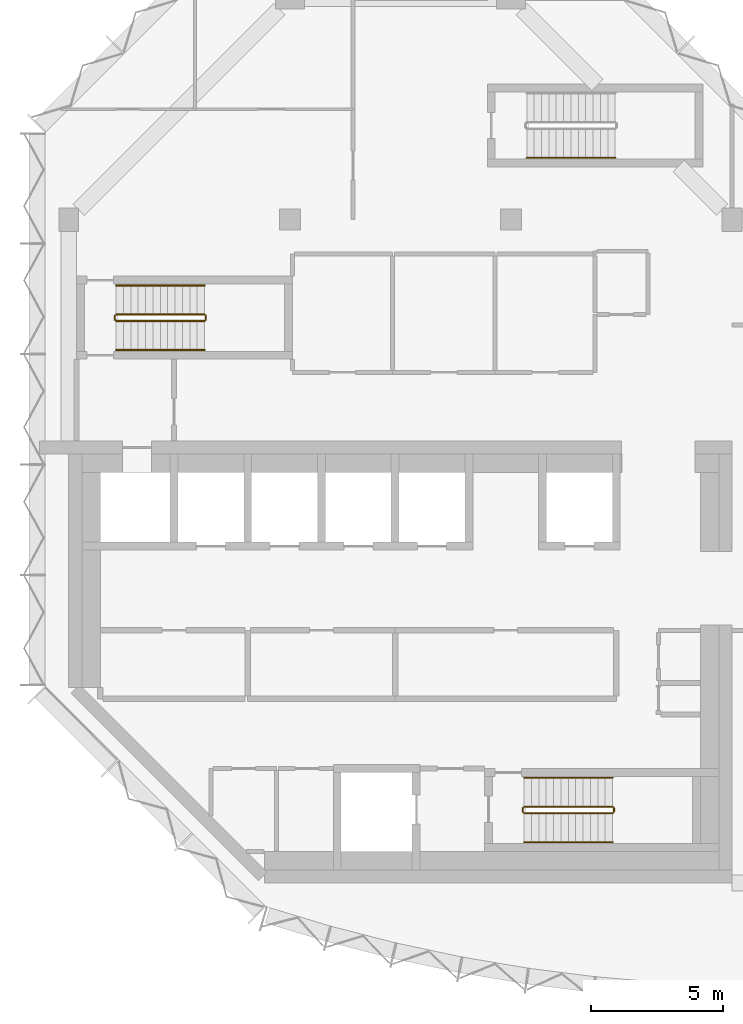
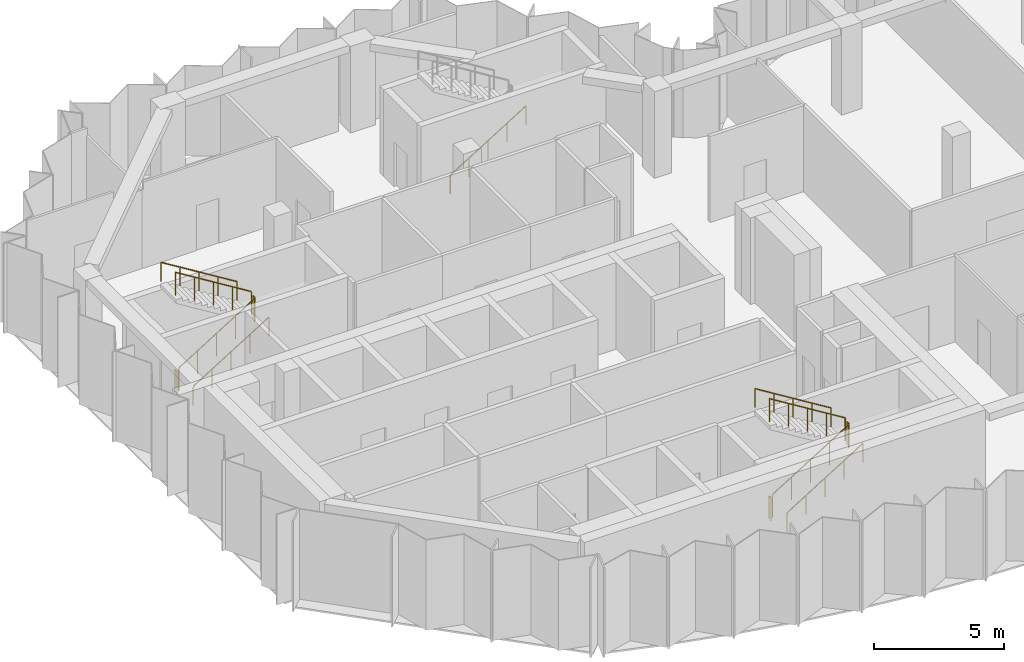
# One storey, part 9 of 10: 13 railings.
"""IFC4 building model written with IfcOpenShell, lengths in metres."""

from ifc_helpers import new_model, si_unit, direction, frame, origin, origin_2d, place, context, subcontext, project, spatial, circle, extrude, material, type_object, element, save


model = new_model("IFC4")

# Units and contexts
model_context = context("Model", 3, precision=1e-05, world=origin(), true_north=direction((0.0, 1.0)))
body_context = subcontext(model_context, "Body", "Model", "MODEL_VIEW")
ifc_project = project(units=[si_unit("LENGTHUNIT", "METRE"), si_unit("AREAUNIT", "SQUARE_METRE"), si_unit("VOLUMEUNIT", "CUBIC_METRE"), si_unit("PLANEANGLEUNIT", "RADIAN"), si_unit("MASSUNIT", "GRAM", prefix="KILO")], contexts=[model_context])

# Site, building, storey
site_placement = place(None, origin())
site = spatial("IfcSite", under=ifc_project, at=site_placement, CompositionType="ELEMENT")
building_placement = place(site_placement, origin())
building = spatial("IfcBuilding", under=site, at=building_placement, Name="Brevane Broadcast Tower", CompositionType="ELEMENT")
storey_placement = place(building_placement, frame((0.0, 0.0, 251.699951171875)))
storey = spatial("IfcBuildingStorey", under=building, at=storey_placement, Name="L64", CompositionType="ELEMENT", Elevation=251.699951171875)

# Railings
ifc_material = material(Name="Steel S355", Category="steel")
railing_type_1 = type_object("IfcRailingType", Name="Exit stair guard", PredefinedType="GUARDRAIL", material=ifc_material)
railing_1_placement = place(storey_placement, frame((1.800048828125, 21.35009765625, 0.173095703125)))
element("IfcRailing", 1, at=railing_1_placement, inside=storey, type_object=railing_type_1, Name="L64 ST-1 stair guard 1", PredefinedType="GUARDRAIL", context=body_context, shape_type="SweptSolid", body=[
    extrude(circle(Radius=0.02392578125, at=origin_2d()), frame((0.0, 0.0, 1.076171875), z_axis=(0.850606129759, 0.0, 0.525803396734), x_axis=(0.0, 1.0, 0.0)), (0.0, 0.0, 1.0), 3.949951171875),
    extrude(circle(Radius=0.02099609375, at=origin_2d()), origin(), (0.0, 0.0, 1.0), 1.052001953125),
    extrude(circle(Radius=0.02099609375, at=origin_2d()), frame((0.83984375, 0.0, 0.519287109375)), (0.0, 0.0, 1.0), 1.052001953125),
    extrude(circle(Radius=0.02099609375, at=origin_2d()), frame((1.679931640625, 0.0, 1.03857421875)), (0.0, 0.0, 1.0), 1.052001953125),
    extrude(circle(Radius=0.02099609375, at=origin_2d()), frame((2.52001953125, 0.0, 1.5576171875)), (0.0, 0.0, 1.0), 1.052001953125),
    extrude(circle(Radius=0.02099609375, at=origin_2d()), frame((3.35986328125, 0.0, 2.076904296875)), (0.0, 0.0, 1.0), 1.052001953125),
])
railing_2_placement = place(storey_placement, frame((5.2099609375, 21.39990234375, 2.25)))
element("IfcRailing", 2, at=railing_2_placement, inside=storey, type_object=railing_type_1, Name="L64 ST-1 stair guard 2", PredefinedType="GUARDRAIL", context=body_context, shape_type="SweptSolid", body=[
    extrude(circle(Radius=0.02392578125, at=origin_2d()), frame((0.0, 0.0, 1.076171875), z_axis=(0.0, 1.0, 0.0), x_axis=(-1.0, 0.0, 0.0)), (0.0, 0.0, 1.0), 0.150146484375),
    extrude(circle(Radius=0.02099609375, at=origin_2d()), origin(), (0.0, 0.0, 1.0), 1.052001953125),
    extrude(circle(Radius=0.02099609375, at=origin_2d()), frame((0.0, 0.150146484375, 0.0)), (0.0, 0.0, 1.0), 1.052001953125),
])
railing_3_placement = place(storey_placement, frame((5.159912109375, 21.60009765625, 2.423095703125)))
element("IfcRailing", 3, at=railing_3_placement, inside=storey, type_object=railing_type_1, Name="L64 ST-1 stair guard 3", PredefinedType="GUARDRAIL", context=body_context, shape_type="SweptSolid", body=[
    extrude(circle(Radius=0.02392578125, at=origin_2d()), frame((0.0, 0.0, 1.076171875), z_axis=(-0.850606129759, 0.0, 0.525803396734), x_axis=(0.0, -1.0, 0.0)), (0.0, 0.0, 1.0), 3.949951171875),
    extrude(circle(Radius=0.02099609375, at=origin_2d()), origin(), (0.0, 0.0, 1.0), 1.052001953125),
    extrude(circle(Radius=0.02099609375, at=origin_2d()), frame((-0.83984375, 0.0, 0.519287109375)), (0.0, 0.0, 1.0), 1.052001953125),
    extrude(circle(Radius=0.02099609375, at=origin_2d()), frame((-1.679931640625, 0.0, 1.03857421875)), (0.0, 0.0, 1.0), 1.052001953125),
    extrude(circle(Radius=0.02099609375, at=origin_2d()), frame((-2.52001953125, 0.0, 1.5576171875)), (0.0, 0.0, 1.0), 1.052001953125),
    extrude(circle(Radius=0.02099609375, at=origin_2d()), frame((-3.35986328125, 0.0, 2.076904296875)), (0.0, 0.0, 1.0), 1.052001953125),
])
railing_4_placement = place(storey_placement, frame((1.75, 21.39990234375, 0.0)))
element("IfcRailing", 4, at=railing_4_placement, inside=storey, type_object=railing_type_1, Name="L64 ST-1 stair guard 4", PredefinedType="GUARDRAIL", context=body_context, shape_type="SweptSolid", body=[
    extrude(circle(Radius=0.02392578125, at=origin_2d()), frame((0.0, 0.0, 1.076171875), z_axis=(0.0, 1.0, 0.0), x_axis=(-1.0, 0.0, 0.0)), (0.0, 0.0, 1.0), 0.150146484375),
    extrude(circle(Radius=0.02099609375, at=origin_2d()), origin(), (0.0, 0.0, 1.0), 1.052001953125),
    extrude(circle(Radius=0.02099609375, at=origin_2d()), frame((0.0, 0.150146484375, 0.0)), (0.0, 0.0, 1.0), 1.052001953125),
])
railing_5_placement = place(storey_placement, frame((17.300048828125, 2.64990234375, 0.173095703125)))
element("IfcRailing", 5, at=railing_5_placement, inside=storey, type_object=railing_type_1, Name="L64 ST-2 stair guard 1", PredefinedType="GUARDRAIL", context=body_context, shape_type="SweptSolid", body=[
    extrude(circle(Radius=0.02392578125, at=origin_2d()), frame((0.0, 0.0, 1.076171875), z_axis=(0.850606129759, 0.0, 0.525803396734), x_axis=(0.0, 1.0, 0.0)), (0.0, 0.0, 1.0), 3.949951171875),
    extrude(circle(Radius=0.02099609375, at=origin_2d()), origin(), (0.0, 0.0, 1.0), 1.052001953125),
    extrude(circle(Radius=0.02099609375, at=origin_2d()), frame((0.83984375, 0.0, 0.519287109375)), (0.0, 0.0, 1.0), 1.052001953125),
    extrude(circle(Radius=0.02099609375, at=origin_2d()), frame((1.679931640625, 0.0, 1.03857421875)), (0.0, 0.0, 1.0), 1.052001953125),
    extrude(circle(Radius=0.02099609375, at=origin_2d()), frame((2.52001953125, 0.0, 1.5576171875)), (0.0, 0.0, 1.0), 1.052001953125),
    extrude(circle(Radius=0.02099609375, at=origin_2d()), frame((3.35986328125, 0.0, 2.076904296875)), (0.0, 0.0, 1.0), 1.052001953125),
])
railing_6_placement = place(storey_placement, frame((20.7099609375, 2.699951171875, 2.25)))
element("IfcRailing", 6, at=railing_6_placement, inside=storey, type_object=railing_type_1, Name="L64 ST-2 stair guard 2", PredefinedType="GUARDRAIL", context=body_context, shape_type="SweptSolid", body=[
    extrude(circle(Radius=0.02392578125, at=origin_2d()), frame((0.0, 0.0, 1.076171875), z_axis=(0.0, 1.0, 0.0), x_axis=(-1.0, 0.0, 0.0)), (0.0, 0.0, 1.0), 0.150146484375),
    extrude(circle(Radius=0.02099609375, at=origin_2d()), origin(), (0.0, 0.0, 1.0), 1.052001953125),
    extrude(circle(Radius=0.02099609375, at=origin_2d()), frame((0.0, 0.150146484375, 0.0)), (0.0, 0.0, 1.0), 1.052001953125),
])
railing_7_placement = place(storey_placement, frame((20.659912109375, 2.89990234375, 2.423095703125)))
element("IfcRailing", 7, at=railing_7_placement, inside=storey, type_object=railing_type_1, Name="L64 ST-2 stair guard 3", PredefinedType="GUARDRAIL", context=body_context, shape_type="SweptSolid", body=[
    extrude(circle(Radius=0.02392578125, at=origin_2d()), frame((0.0, 0.0, 1.076171875), z_axis=(-0.850606129759, 0.0, 0.525803396734), x_axis=(0.0, -1.0, 0.0)), (0.0, 0.0, 1.0), 3.949951171875),
    extrude(circle(Radius=0.02099609375, at=origin_2d()), origin(), (0.0, 0.0, 1.0), 1.052001953125),
    extrude(circle(Radius=0.02099609375, at=origin_2d()), frame((-0.83984375, 0.0, 0.519287109375)), (0.0, 0.0, 1.0), 1.052001953125),
    extrude(circle(Radius=0.02099609375, at=origin_2d()), frame((-1.679931640625, 0.0, 1.03857421875)), (0.0, 0.0, 1.0), 1.052001953125),
    extrude(circle(Radius=0.02099609375, at=origin_2d()), frame((-2.52001953125, 0.0, 1.5576171875)), (0.0, 0.0, 1.0), 1.052001953125),
    extrude(circle(Radius=0.02099609375, at=origin_2d()), frame((-3.35986328125, 0.0, 2.076904296875)), (0.0, 0.0, 1.0), 1.052001953125),
])
railing_8_placement = place(storey_placement, frame((17.25, 2.699951171875, 0.0)))
element("IfcRailing", 8, at=railing_8_placement, inside=storey, type_object=railing_type_1, Name="L64 ST-2 stair guard 4", PredefinedType="GUARDRAIL", context=body_context, shape_type="SweptSolid", body=[
    extrude(circle(Radius=0.02392578125, at=origin_2d()), frame((0.0, 0.0, 1.076171875), z_axis=(0.0, 1.0, 0.0), x_axis=(-1.0, 0.0, 0.0)), (0.0, 0.0, 1.0), 0.150146484375),
    extrude(circle(Radius=0.02099609375, at=origin_2d()), origin(), (0.0, 0.0, 1.0), 1.052001953125),
    extrude(circle(Radius=0.02099609375, at=origin_2d()), frame((0.0, 0.150146484375, 0.0)), (0.0, 0.0, 1.0), 1.052001953125),
])
railing_type_2 = type_object("IfcRailingType", Name="Exit stair handrail", PredefinedType="HANDRAIL", material=ifc_material)
railing_9_placement = place(storey_placement, frame((1.800048828125, 20.25, 0.173095703125)))
element("IfcRailing", 9, at=railing_9_placement, inside=storey, type_object=railing_type_2, Name="L64 ST-1 stair handrail 1", PredefinedType="HANDRAIL", context=body_context, shape_type="SweptSolid", body=[
    extrude(circle(Radius=0.02392578125, at=origin_2d()), frame((0.0, 0.0, 0.8759765625), z_axis=(0.850606129759, 0.0, 0.525803396734), x_axis=(0.0, 1.0, 0.0)), (0.0, 0.0, 1.0), 3.949951171875),
    extrude(circle(Radius=0.02099609375, at=origin_2d()), origin(), (0.0, 0.0, 1.0), 0.851806640625),
    extrude(circle(Radius=0.02099609375, at=origin_2d()), frame((0.83984375, 0.0, 0.519287109375)), (0.0, 0.0, 1.0), 0.851806640625),
    extrude(circle(Radius=0.02099609375, at=origin_2d()), frame((1.679931640625, 0.0, 1.03857421875)), (0.0, 0.0, 1.0), 0.851806640625),
    extrude(circle(Radius=0.02099609375, at=origin_2d()), frame((2.52001953125, 0.0, 1.5576171875)), (0.0, 0.0, 1.0), 0.851806640625),
    extrude(circle(Radius=0.02099609375, at=origin_2d()), frame((3.35986328125, 0.0, 2.076904296875)), (0.0, 0.0, 1.0), 0.851806640625),
])
railing_10_placement = place(storey_placement, frame((5.159912109375, 22.699951171875, 2.423095703125)))
element("IfcRailing", 10, at=railing_10_placement, inside=storey, type_object=railing_type_2, Name="L64 ST-1 stair handrail 2", PredefinedType="HANDRAIL", context=body_context, shape_type="SweptSolid", body=[
    extrude(circle(Radius=0.02392578125, at=origin_2d()), frame((0.0, 0.0, 0.8759765625), z_axis=(-0.850606129759, 0.0, 0.525803396734), x_axis=(0.0, -1.0, 0.0)), (0.0, 0.0, 1.0), 3.949951171875),
    extrude(circle(Radius=0.02099609375, at=origin_2d()), origin(), (0.0, 0.0, 1.0), 0.851806640625),
    extrude(circle(Radius=0.02099609375, at=origin_2d()), frame((-0.83984375, 0.0, 0.519287109375)), (0.0, 0.0, 1.0), 0.851806640625),
    extrude(circle(Radius=0.02099609375, at=origin_2d()), frame((-1.679931640625, 0.0, 1.03857421875)), (0.0, 0.0, 1.0), 0.851806640625),
    extrude(circle(Radius=0.02099609375, at=origin_2d()), frame((-2.52001953125, 0.0, 1.5576171875)), (0.0, 0.0, 1.0), 0.851806640625),
    extrude(circle(Radius=0.02099609375, at=origin_2d()), frame((-3.35986328125, 0.0, 2.076904296875)), (0.0, 0.0, 1.0), 0.851806640625),
])
railing_11_placement = place(storey_placement, frame((17.300048828125, 1.550048828125, 0.173095703125)))
element("IfcRailing", 11, at=railing_11_placement, inside=storey, type_object=railing_type_2, Name="L64 ST-2 stair handrail 1", PredefinedType="HANDRAIL", context=body_context, shape_type="SweptSolid", body=[
    extrude(circle(Radius=0.02392578125, at=origin_2d()), frame((0.0, 0.0, 0.8759765625), z_axis=(0.850606129759, 0.0, 0.525803396734), x_axis=(0.0, 1.0, 0.0)), (0.0, 0.0, 1.0), 3.949951171875),
    extrude(circle(Radius=0.02099609375, at=origin_2d()), origin(), (0.0, 0.0, 1.0), 0.851806640625),
    extrude(circle(Radius=0.02099609375, at=origin_2d()), frame((0.83984375, 0.0, 0.519287109375)), (0.0, 0.0, 1.0), 0.851806640625),
    extrude(circle(Radius=0.02099609375, at=origin_2d()), frame((1.679931640625, 0.0, 1.03857421875)), (0.0, 0.0, 1.0), 0.851806640625),
    extrude(circle(Radius=0.02099609375, at=origin_2d()), frame((2.52001953125, 0.0, 1.5576171875)), (0.0, 0.0, 1.0), 0.851806640625),
    extrude(circle(Radius=0.02099609375, at=origin_2d()), frame((3.35986328125, 0.0, 2.076904296875)), (0.0, 0.0, 1.0), 0.851806640625),
])
railing_12_placement = place(storey_placement, frame((20.659912109375, 4.0, 2.423095703125)))
element("IfcRailing", 12, at=railing_12_placement, inside=storey, type_object=railing_type_2, Name="L64 ST-2 stair handrail 2", PredefinedType="HANDRAIL", context=body_context, shape_type="SweptSolid", body=[
    extrude(circle(Radius=0.02392578125, at=origin_2d()), frame((0.0, 0.0, 0.8759765625), z_axis=(-0.850606129759, 0.0, 0.525803396734), x_axis=(0.0, -1.0, 0.0)), (0.0, 0.0, 1.0), 3.949951171875),
    extrude(circle(Radius=0.02099609375, at=origin_2d()), origin(), (0.0, 0.0, 1.0), 0.851806640625),
    extrude(circle(Radius=0.02099609375, at=origin_2d()), frame((-0.83984375, 0.0, 0.519287109375)), (0.0, 0.0, 1.0), 0.851806640625),
    extrude(circle(Radius=0.02099609375, at=origin_2d()), frame((-1.679931640625, 0.0, 1.03857421875)), (0.0, 0.0, 1.0), 0.851806640625),
    extrude(circle(Radius=0.02099609375, at=origin_2d()), frame((-2.52001953125, 0.0, 1.5576171875)), (0.0, 0.0, 1.0), 0.851806640625),
    extrude(circle(Radius=0.02099609375, at=origin_2d()), frame((-3.35986328125, 0.0, 2.076904296875)), (0.0, 0.0, 1.0), 0.851806640625),
])
railing_13_placement = place(storey_placement, frame((17.39990234375, 27.550048828125, 0.173095703125)))
element("IfcRailing", 13, at=railing_13_placement, inside=storey, type_object=railing_type_2, Name="L64 ST-3 stair handrail 1", PredefinedType="HANDRAIL", context=body_context, shape_type="SweptSolid", body=[
    extrude(circle(Radius=0.02392578125, at=origin_2d()), frame((0.0, 0.0, 0.8759765625), z_axis=(0.850623216509, 0.0, 0.525775754039), x_axis=(0.0, 1.0, 0.0)), (0.0, 0.0, 1.0), 3.9501953125),
    extrude(circle(Radius=0.02099609375, at=origin_2d()), origin(), (0.0, 0.0, 1.0), 0.851806640625),
    extrude(circle(Radius=0.02099609375, at=origin_2d()), frame((0.840087890625, 0.0, 0.519287109375)), (0.0, 0.0, 1.0), 0.851806640625),
    extrude(circle(Radius=0.02099609375, at=origin_2d()), frame((1.68017578125, 0.0, 1.03857421875)), (0.0, 0.0, 1.0), 0.851806640625),
    extrude(circle(Radius=0.02099609375, at=origin_2d()), frame((2.52001953125, 0.0, 1.5576171875)), (0.0, 0.0, 1.0), 0.851806640625),
    extrude(circle(Radius=0.02099609375, at=origin_2d()), frame((3.360107421875, 0.0, 2.076904296875)), (0.0, 0.0, 1.0), 0.851806640625),
])

save(model, "model.ifc")
